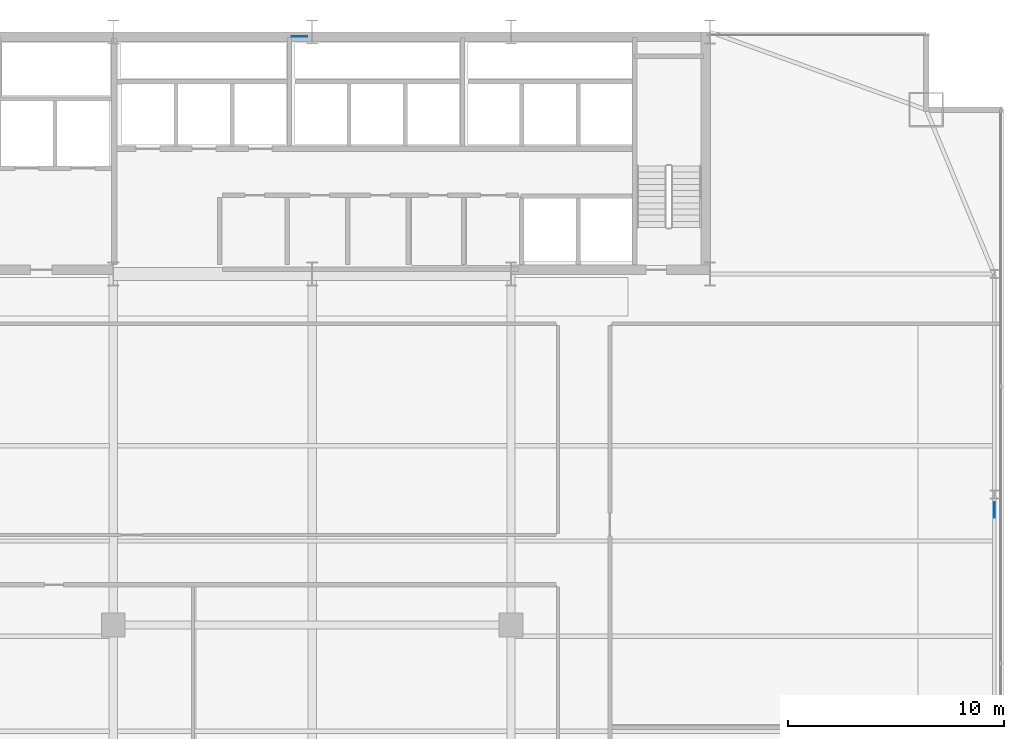
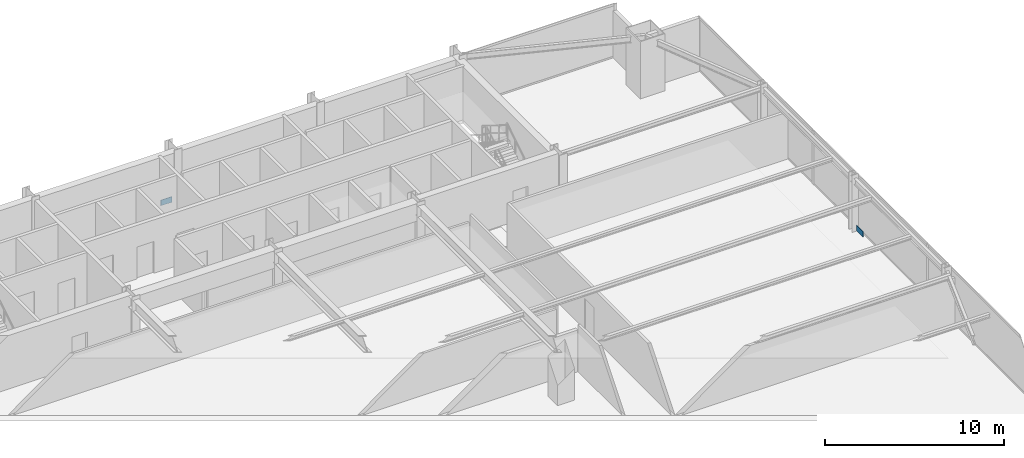
# One storey, part 26 of 31: 2 plates.
"""IFC4 building model written with IfcOpenShell, lengths in metres."""

import ifcopenshell
import ifcopenshell.guid

model = None  # the IFC model being written
_history = None  # IfcOwnerHistory: only IFC2X3 demands one
_inside = {}  # id of a spatial element -> (the spatial element, [elements in it])
_under = {}  # id of a project, library or spatial element -> (it, [spatial elements below it])
_declared = {}  # id of a project -> (the project, [libraries it declares])
_typed = {}  # id of a type object -> (the type object, [elements of that type])
_made_of = {}  # id of a material, layer set ... -> (it, [elements and type objects made of it])


def new_model(schema):
    """Start an empty IFC model of exactly this schema.

    Asked for "IFC4X3", IfcOpenShell would pick the latest addendum, in which some entities
    have other attributes; the version numbers below select the first issue.
    IFC2X3 requires an IfcOwnerHistory on every rooted entity: one is made here for all.
    """
    global model, _history
    if schema == "IFC4X3":
        model = ifcopenshell.file(schema_version=(4, 3, 0, 0))
    else:
        model = ifcopenshell.file(schema=schema)
    _inside.clear()
    _under.clear()
    _declared.clear()
    _typed.clear()
    _made_of.clear()
    _history = None
    if model.schema == "IFC2X3":
        org = make("IfcOrganization", Name="unknown")
        user = make(
            "IfcPersonAndOrganization",
            ThePerson=make("IfcPerson", FamilyName="unknown"),
            TheOrganization=org,
        )
        app = make(
            "IfcApplication",
            ApplicationDeveloper=org,
            Version="unknown",
            ApplicationFullName="unknown",
            ApplicationIdentifier="unknown",
        )
        _history = make(
            "IfcOwnerHistory",
            OwningUser=user,
            OwningApplication=app,
            ChangeAction="ADDED",
            CreationDate=0,
        )
    return model


def make(cls, **values):
    """One entity of the class cls with the attributes given. An attribute that is None is left unset."""
    return model.create_entity(
        cls, **{name: value for name, value in values.items() if value is not None}
    )


def rooted(cls, **values):
    """An entity with a GlobalId (a new one), such as an element, a storey or a relation."""
    return make(cls, GlobalId=ifcopenshell.guid.new(), OwnerHistory=_history, **values)


def si_unit(unit_type, name, prefix=None):
    """IfcSIUnit, for example si_unit("LENGTHUNIT", "METRE", prefix="MILLI")."""
    return make("IfcSIUnit", UnitType=unit_type, Prefix=prefix, Name=name)


def assignment(units):
    """IfcUnitAssignment: the units of a project."""
    return None if units is None else make("IfcUnitAssignment", Units=units)


def point(xyz):
    """IfcCartesianPoint."""
    return None if xyz is None else make("IfcCartesianPoint", Coordinates=xyz)


def direction(xyz):
    """IfcDirection."""
    return None if xyz is None else make("IfcDirection", DirectionRatios=xyz)


def frame(location, z_axis=None, x_axis=None):
    """IfcAxis2Placement3D, a coordinate frame: its origin and axes. An axis left out is left unset."""
    return make(
        "IfcAxis2Placement3D",
        Location=point(location),
        Axis=direction(z_axis),
        RefDirection=direction(x_axis),
    )


def frame_2d(location, x_axis=None):
    """IfcAxis2Placement2D, a coordinate frame in the plane: its origin and x axis."""
    return make(
        "IfcAxis2Placement2D", Location=point(location), RefDirection=direction(x_axis)
    )


def origin():
    """The frame at (0, 0, 0) with its axes left unset."""
    return frame((0.0, 0.0, 0.0))


def origin_2d():
    """The frame at (0, 0) in the plane with its x axis left unset."""
    return frame_2d((0.0, 0.0))


def place(relative_to, where):
    """IfcLocalPlacement: puts the frame where relative to a parent placement (None: the world)."""
    return make(
        "IfcLocalPlacement", PlacementRelTo=relative_to, RelativePlacement=where
    )


def context(
    kind, dimensions, precision=None, world=None, true_north=None, identifier=None
):
    """IfcGeometricRepresentationContext, for example the 3D "Model" context."""
    return make(
        "IfcGeometricRepresentationContext",
        ContextIdentifier=identifier,
        ContextType=kind,
        CoordinateSpaceDimension=dimensions,
        Precision=precision,
        WorldCoordinateSystem=world,
        TrueNorth=true_north,
    )


def subcontext(parent, identifier, kind, view, scale=None):
    """IfcGeometricRepresentationSubContext, for example "Body" below "Model"."""
    return make(
        "IfcGeometricRepresentationSubContext",
        ContextIdentifier=identifier,
        ContextType=kind,
        ParentContext=parent,
        TargetScale=scale,
        TargetView=view,
    )


def project(units=None, contexts=None):
    """IfcProject with its units and contexts."""
    return rooted(
        "IfcProject",
        Name="project",
        RepresentationContexts=contexts,
        UnitsInContext=assignment(units),
    )


def spatial(cls, under=None, at=None, **own):
    """A site, building, storey or space (cls), placed at a placement, below another one or the project."""
    s = rooted(cls, ObjectPlacement=at, **own)
    if under is not None:
        _under.setdefault(under.id(), (under, []))[1].append(s)
    return s


def profile(cls, at=None, kind="AREA", **sizes):
    """A parametric profile (cls). Its sizes go by their IFC names, for example OverallWidth=200.0."""
    return make(cls, ProfileType=kind, Position=at, **sizes)


def rectangle(**sizes):
    """IfcRectangleProfileDef."""
    return profile("IfcRectangleProfileDef", **sizes)


def extrude(swept, where, along, depth):
    """IfcExtrudedAreaSolid: the profile swept, set in the frame where, extruded along a direction by depth."""
    return make(
        "IfcExtrudedAreaSolid",
        SweptArea=swept,
        Position=where,
        ExtrudedDirection=direction(along),
        Depth=depth,
    )


def shape(context_of_items, identifier, shape_type, items):
    """IfcShapeRepresentation: the items that make up one representation, for example the "Body"."""
    return make(
        "IfcShapeRepresentation",
        ContextOfItems=context_of_items,
        RepresentationIdentifier=identifier,
        RepresentationType=shape_type,
        Items=items,
    )


def source(mapping_origin, context_of_items, identifier, shape_type, items):
    """IfcRepresentationMap: a shape defined once, which mapped items show again and again."""
    return make(
        "IfcRepresentationMap",
        MappingOrigin=mapping_origin,
        MappedRepresentation=shape(context_of_items, identifier, shape_type, items),
    )


def transform(
    local_origin,
    x_axis=None,
    y_axis=None,
    z_axis=None,
    scale=None,
    scale2=None,
    scale3=None,
    uniform=True,
):
    """IfcCartesianTransformationOperator3D, or its non-uniform kind. x_axis, y_axis, z_axis: its Axis1, 2, 3."""
    if uniform:
        return make(
            "IfcCartesianTransformationOperator3D",
            Axis1=direction(x_axis),
            Axis2=direction(y_axis),
            LocalOrigin=point(local_origin),
            Scale=scale,
            Axis3=direction(z_axis),
        )
    return make(
        "IfcCartesianTransformationOperator3DnonUniform",
        Axis1=direction(x_axis),
        Axis2=direction(y_axis),
        LocalOrigin=point(local_origin),
        Scale=scale,
        Axis3=direction(z_axis),
        Scale2=scale2,
        Scale3=scale3,
    )


def mapped(mapping_source, mapping_target):
    """IfcMappedItem: shows the shape of a source again, moved by a transform."""
    return make(
        "IfcMappedItem", MappingSource=mapping_source, MappingTarget=mapping_target
    )


def material(Name=None, Category=None):
    """IfcMaterial."""
    return make("IfcMaterial", Name=Name, Category=Category)


def layer(
    of_material, thickness, ventilated=None, Name=None, Category=None, Priority=None
):
    """IfcMaterialLayer: one layer of a wall or slab, of a material (None: an air gap)."""
    return make(
        "IfcMaterialLayer",
        Material=of_material,
        LayerThickness=thickness,
        IsVentilated=ventilated,
        Name=Name,
        Category=Category,
        Priority=Priority,
    )


def layer_set(layers, Name=None):
    """IfcMaterialLayerSet."""
    return make("IfcMaterialLayerSet", MaterialLayers=layers, LayerSetName=Name)


def made_of(thing, what):
    """Note that an element or type object is made of a material, layer set ...; save() writes the relation."""
    if what is not None:
        _made_of.setdefault(what.id(), (what, []))[1].append(thing)
    return thing


def type_object(cls, material=None, **own):
    """A type object (cls), such as IfcWallType, which elements share."""
    return made_of(rooted(cls, **own), material)


def type_shapes(of_type, sources):
    """Give a type object the sources (RepresentationMaps) that its elements show as mapped items."""
    of_type.RepresentationMaps = sources


def element(
    cls,
    number,
    at=None,
    inside=None,
    cuts=None,
    type_object=None,
    material=None,
    context=None,
    identifier="Body",
    shape_type=None,
    held_by="IfcProductDefinitionShape",
    body=None,
    shapes=None,
    **own,
):
    """One element of the class cls, such as IfcWall. Its Tag is "e" and its number.

    at: its placement. inside: the storey or other place that contains it. cuts: it is an
    opening in that element (IfcRelVoidsElement). A single representation is given by context,
    identifier, shape_type and body (its items); several are given by shapes. held_by: the class
    of the entity that holds the representations. save() writes the other relations.
    """
    e = rooted(cls, Tag="e%d" % number, ObjectPlacement=at, **own)
    if body is not None:
        shapes = [shape(context, identifier, shape_type, body)]
    if shapes is not None:
        e.Representation = make(held_by, Representations=shapes)
    if inside is not None:
        _inside.setdefault(inside.id(), (inside, []))[1].append(e)
    if cuts is not None:
        rooted(
            "IfcRelVoidsElement", RelatingBuildingElement=cuts, RelatedOpeningElement=e
        )
    if type_object is not None:
        _typed.setdefault(type_object.id(), (type_object, []))[1].append(e)
    return made_of(e, material)


def aggregate(whole, parts):
    """IfcRelAggregates: a whole, such as a stair, and the parts it consists of."""
    return rooted("IfcRelAggregates", RelatingObject=whole, RelatedObjects=parts)


def save(model, path):
    """Write the relations noted so far, then the file.

    IfcRelAggregates (storeys below a building ...), IfcRelContainedInSpatialStructure (elements
    in a storey), IfcRelDefinesByType, IfcRelAssociatesMaterial and IfcRelDeclares: one each for
    every whole, place, type object, material and project.
    """
    for whole, parts in _under.values():
        aggregate(whole, parts)
    for where, things in _inside.values():
        rooted(
            "IfcRelContainedInSpatialStructure",
            RelatedElements=things,
            RelatingStructure=where,
        )
    for kind, things in _typed.values():
        rooted("IfcRelDefinesByType", RelatedObjects=things, RelatingType=kind)
    for what, things in _made_of.values():
        rooted("IfcRelAssociatesMaterial", RelatedObjects=things, RelatingMaterial=what)
    for by, libraries in _declared.values():
        rooted("IfcRelDeclares", RelatingContext=by, RelatedDefinitions=libraries)
    model.write(path)


model = new_model("IFC4")

# Units and contexts
model_context = context("Model", 3, precision=1e-05, world=origin(), true_north=direction((0.0, 1.0)))
body_context = subcontext(model_context, "Body", "Model", "MODEL_VIEW")
ifc_project = project(units=[si_unit("LENGTHUNIT", "METRE"), si_unit("AREAUNIT", "SQUARE_METRE"), si_unit("VOLUMEUNIT", "CUBIC_METRE"), si_unit("PLANEANGLEUNIT", "RADIAN"), si_unit("MASSUNIT", "GRAM", prefix="KILO")], contexts=[model_context])

# Site, building, storey
site_placement = place(None, origin())
site = spatial("IfcSite", under=ifc_project, at=site_placement, CompositionType="ELEMENT")
building_placement = place(site_placement, origin())
building = spatial("IfcBuilding", under=site, at=building_placement, Name="Varnel Quay Broadcast Tower", CompositionType="ELEMENT")
storey_placement = place(building_placement, frame((0.0, 0.0, 51.0)))
storey = spatial("IfcBuildingStorey", under=building, at=storey_placement, Name="L11", CompositionType="ELEMENT", Elevation=51.0)

# Plates
ifc_material = material(Name="Structural Steel CSA G40.21 350WT", Category="steel")
ifc_layer = layer(ifc_material, 0.031982421875, Name="Structural Steel CSA G40.21 350WT")
ifc_layer_set = layer_set([ifc_layer], Name="Structural Steel CSA G40.21 350WT")
plate_type = type_object("IfcPlateType", Name="Plate_EndCap", PredefinedType="USERDEFINED", material=ifc_layer_set)
shared_shape = source(origin(), body_context, "Body", "SweptSolid", [
    extrude(rectangle(XDim=0.719970703125, YDim=0.031982421875, at=origin_2d()), origin(), (0.0, 0.0, 1.0), 0.3798828125),
])
type_shapes(plate_type, [shared_shape])
for number, where, z_axis, x_axis, name in (
    (1, (33.4150390625, 46.580078125, 0.171875), (0.0, 0.0, 1.0), (1.0, 0.0, 0.0), "Zone 1 Mega-Brace N-CT2 Diag B2 End Connection Plate P0"),
    (2, (65.550048828125, 24.681640625, 0.144775390625), (0.0, 0.0, 1.0), (0.0, 1.0, 0.0), "Zone 1 Mega-Brace E-FT2 Diag B2 End Connection Plate P0"),
):
    element("IfcPlate", number, at=place(storey_placement, frame(where, z_axis=z_axis, x_axis=x_axis)), inside=storey, type_object=plate_type, Name=name, ObjectType="CAP_PLATE", PredefinedType="USERDEFINED", context=body_context, shape_type="MappedRepresentation", body=[
        mapped(shared_shape, transform((0.0, 0.0, 0.0), x_axis=(1.0, 0.0, 0.0), y_axis=(0.0, 1.0, 0.0), z_axis=(0.0, 0.0, 1.0), scale=1.0)),
    ])

save(model, "model.ifc")
